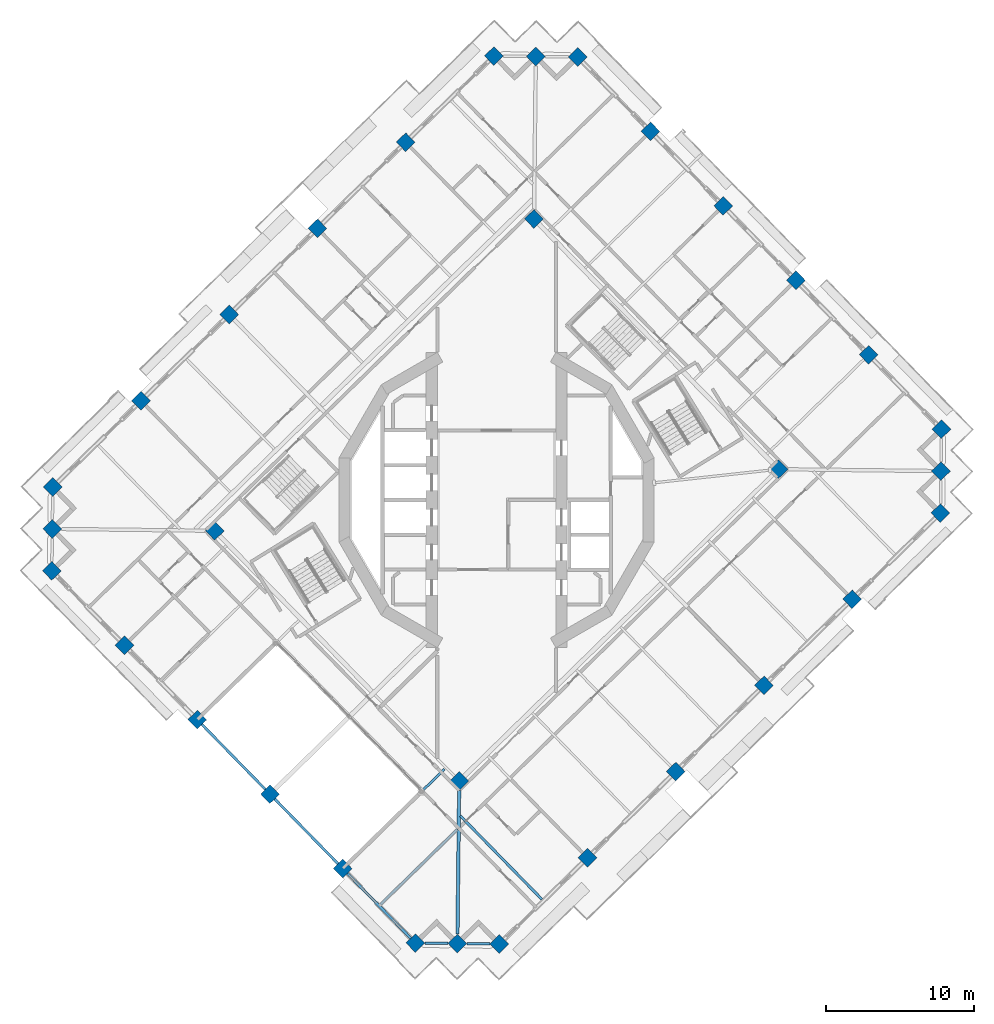
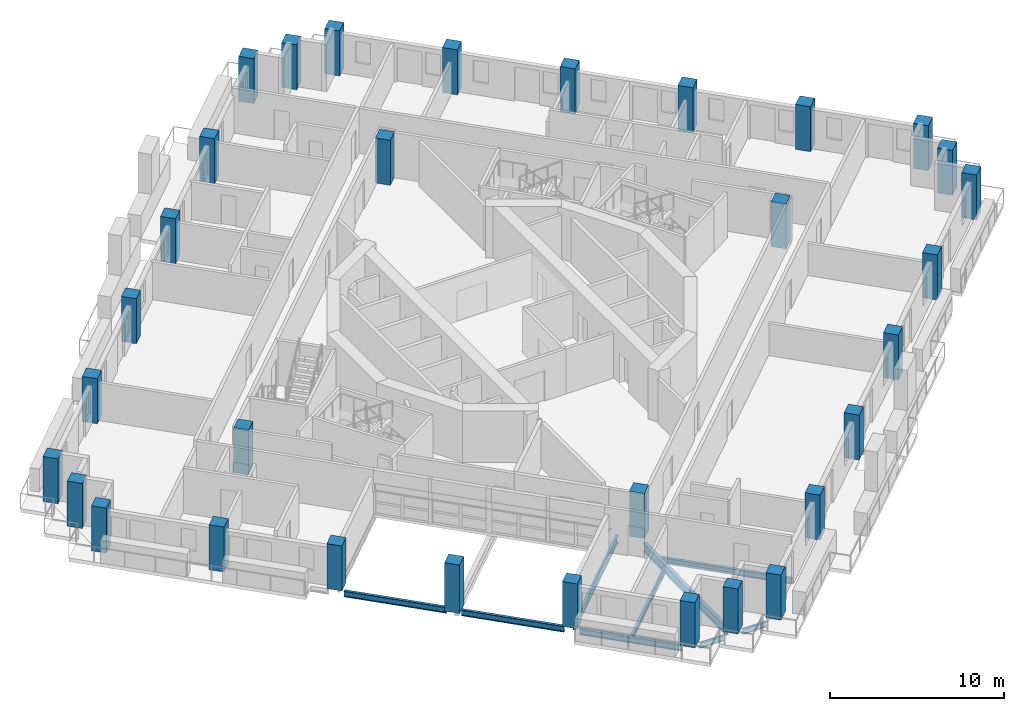
# One storey, part 1 of 19: 32 columns, 9 beams.
"""IFC4 building model written with IfcOpenShell, lengths in metres."""

import ifcopenshell
import ifcopenshell.guid

model = None  # the IFC model being written
_history = None  # IfcOwnerHistory: only IFC2X3 demands one
_inside = {}  # id of a spatial element -> (the spatial element, [elements in it])
_under = {}  # id of a project, library or spatial element -> (it, [spatial elements below it])
_declared = {}  # id of a project -> (the project, [libraries it declares])
_typed = {}  # id of a type object -> (the type object, [elements of that type])
_made_of = {}  # id of a material, layer set ... -> (it, [elements and type objects made of it])


def new_model(schema):
    """Start an empty IFC model of exactly this schema.

    Asked for "IFC4X3", IfcOpenShell would pick the latest addendum, in which some entities
    have other attributes; the version numbers below select the first issue.
    IFC2X3 requires an IfcOwnerHistory on every rooted entity: one is made here for all.
    """
    global model, _history
    if schema == "IFC4X3":
        model = ifcopenshell.file(schema_version=(4, 3, 0, 0))
    else:
        model = ifcopenshell.file(schema=schema)
    _inside.clear()
    _under.clear()
    _declared.clear()
    _typed.clear()
    _made_of.clear()
    _history = None
    if model.schema == "IFC2X3":
        org = make("IfcOrganization", Name="unknown")
        user = make(
            "IfcPersonAndOrganization",
            ThePerson=make("IfcPerson", FamilyName="unknown"),
            TheOrganization=org,
        )
        app = make(
            "IfcApplication",
            ApplicationDeveloper=org,
            Version="unknown",
            ApplicationFullName="unknown",
            ApplicationIdentifier="unknown",
        )
        _history = make(
            "IfcOwnerHistory",
            OwningUser=user,
            OwningApplication=app,
            ChangeAction="ADDED",
            CreationDate=0,
        )
    return model


def make(cls, **values):
    """One entity of the class cls with the attributes given. An attribute that is None is left unset."""
    return model.create_entity(
        cls, **{name: value for name, value in values.items() if value is not None}
    )


def rooted(cls, **values):
    """An entity with a GlobalId (a new one), such as an element, a storey or a relation."""
    return make(cls, GlobalId=ifcopenshell.guid.new(), OwnerHistory=_history, **values)


def si_unit(unit_type, name, prefix=None):
    """IfcSIUnit, for example si_unit("LENGTHUNIT", "METRE", prefix="MILLI")."""
    return make("IfcSIUnit", UnitType=unit_type, Prefix=prefix, Name=name)


def assignment(units):
    """IfcUnitAssignment: the units of a project."""
    return None if units is None else make("IfcUnitAssignment", Units=units)


def point(xyz):
    """IfcCartesianPoint."""
    return None if xyz is None else make("IfcCartesianPoint", Coordinates=xyz)


def direction(xyz):
    """IfcDirection."""
    return None if xyz is None else make("IfcDirection", DirectionRatios=xyz)


def frame(location, z_axis=None, x_axis=None):
    """IfcAxis2Placement3D, a coordinate frame: its origin and axes. An axis left out is left unset."""
    return make(
        "IfcAxis2Placement3D",
        Location=point(location),
        Axis=direction(z_axis),
        RefDirection=direction(x_axis),
    )


def frame_2d(location, x_axis=None):
    """IfcAxis2Placement2D, a coordinate frame in the plane: its origin and x axis."""
    return make(
        "IfcAxis2Placement2D", Location=point(location), RefDirection=direction(x_axis)
    )


def origin():
    """The frame at (0, 0, 0) with its axes left unset."""
    return frame((0.0, 0.0, 0.0))


def origin_2d():
    """The frame at (0, 0) in the plane with its x axis left unset."""
    return frame_2d((0.0, 0.0))


def place(relative_to, where):
    """IfcLocalPlacement: puts the frame where relative to a parent placement (None: the world)."""
    return make(
        "IfcLocalPlacement", PlacementRelTo=relative_to, RelativePlacement=where
    )


def context(
    kind, dimensions, precision=None, world=None, true_north=None, identifier=None
):
    """IfcGeometricRepresentationContext, for example the 3D "Model" context."""
    return make(
        "IfcGeometricRepresentationContext",
        ContextIdentifier=identifier,
        ContextType=kind,
        CoordinateSpaceDimension=dimensions,
        Precision=precision,
        WorldCoordinateSystem=world,
        TrueNorth=true_north,
    )


def subcontext(parent, identifier, kind, view, scale=None):
    """IfcGeometricRepresentationSubContext, for example "Body" below "Model"."""
    return make(
        "IfcGeometricRepresentationSubContext",
        ContextIdentifier=identifier,
        ContextType=kind,
        ParentContext=parent,
        TargetScale=scale,
        TargetView=view,
    )


def project(units=None, contexts=None):
    """IfcProject with its units and contexts."""
    return rooted(
        "IfcProject",
        Name="project",
        RepresentationContexts=contexts,
        UnitsInContext=assignment(units),
    )


def spatial(cls, under=None, at=None, **own):
    """A site, building, storey or space (cls), placed at a placement, below another one or the project."""
    s = rooted(cls, ObjectPlacement=at, **own)
    if under is not None:
        _under.setdefault(under.id(), (under, []))[1].append(s)
    return s


def profile(cls, at=None, kind="AREA", **sizes):
    """A parametric profile (cls). Its sizes go by their IFC names, for example OverallWidth=200.0."""
    return make(cls, ProfileType=kind, Position=at, **sizes)


def rectangle(**sizes):
    """IfcRectangleProfileDef."""
    return profile("IfcRectangleProfileDef", **sizes)


def i_section(**sizes):
    """IfcIShapeProfileDef."""
    return profile("IfcIShapeProfileDef", **sizes)


def extrude(swept, where, along, depth):
    """IfcExtrudedAreaSolid: the profile swept, set in the frame where, extruded along a direction by depth."""
    return make(
        "IfcExtrudedAreaSolid",
        SweptArea=swept,
        Position=where,
        ExtrudedDirection=direction(along),
        Depth=depth,
    )


def shape(context_of_items, identifier, shape_type, items):
    """IfcShapeRepresentation: the items that make up one representation, for example the "Body"."""
    return make(
        "IfcShapeRepresentation",
        ContextOfItems=context_of_items,
        RepresentationIdentifier=identifier,
        RepresentationType=shape_type,
        Items=items,
    )


def material(Name=None, Category=None):
    """IfcMaterial."""
    return make("IfcMaterial", Name=Name, Category=Category)


def material_profile(
    of_material, cross_section, Name=None, Category=None, Priority=None
):
    """IfcMaterialProfile: a cross section and its material."""
    return make(
        "IfcMaterialProfile",
        Name=Name,
        Material=of_material,
        Profile=cross_section,
        Priority=Priority,
        Category=Category,
    )


def profile_set(profiles, Name=None, composite=None):
    """IfcMaterialProfileSet."""
    return make(
        "IfcMaterialProfileSet",
        Name=Name,
        MaterialProfiles=profiles,
        CompositeProfile=composite,
    )


def made_of(thing, what):
    """Note that an element or type object is made of a material, layer set ...; save() writes the relation."""
    if what is not None:
        _made_of.setdefault(what.id(), (what, []))[1].append(thing)
    return thing


def type_object(cls, material=None, **own):
    """A type object (cls), such as IfcWallType, which elements share."""
    return made_of(rooted(cls, **own), material)


def element(
    cls,
    number,
    at=None,
    inside=None,
    cuts=None,
    type_object=None,
    material=None,
    context=None,
    identifier="Body",
    shape_type=None,
    held_by="IfcProductDefinitionShape",
    body=None,
    shapes=None,
    **own,
):
    """One element of the class cls, such as IfcWall. Its Tag is "e" and its number.

    at: its placement. inside: the storey or other place that contains it. cuts: it is an
    opening in that element (IfcRelVoidsElement). A single representation is given by context,
    identifier, shape_type and body (its items); several are given by shapes. held_by: the class
    of the entity that holds the representations. save() writes the other relations.
    """
    e = rooted(cls, Tag="e%d" % number, ObjectPlacement=at, **own)
    if body is not None:
        shapes = [shape(context, identifier, shape_type, body)]
    if shapes is not None:
        e.Representation = make(held_by, Representations=shapes)
    if inside is not None:
        _inside.setdefault(inside.id(), (inside, []))[1].append(e)
    if cuts is not None:
        rooted(
            "IfcRelVoidsElement", RelatingBuildingElement=cuts, RelatedOpeningElement=e
        )
    if type_object is not None:
        _typed.setdefault(type_object.id(), (type_object, []))[1].append(e)
    return made_of(e, material)


def aggregate(whole, parts):
    """IfcRelAggregates: a whole, such as a stair, and the parts it consists of."""
    return rooted("IfcRelAggregates", RelatingObject=whole, RelatedObjects=parts)


def save(model, path):
    """Write the relations noted so far, then the file.

    IfcRelAggregates (storeys below a building ...), IfcRelContainedInSpatialStructure (elements
    in a storey), IfcRelDefinesByType, IfcRelAssociatesMaterial and IfcRelDeclares: one each for
    every whole, place, type object, material and project.
    """
    for whole, parts in _under.values():
        aggregate(whole, parts)
    for where, things in _inside.values():
        rooted(
            "IfcRelContainedInSpatialStructure",
            RelatedElements=things,
            RelatingStructure=where,
        )
    for kind, things in _typed.values():
        rooted("IfcRelDefinesByType", RelatedObjects=things, RelatingType=kind)
    for what, things in _made_of.values():
        rooted("IfcRelAssociatesMaterial", RelatedObjects=things, RelatingMaterial=what)
    for by, libraries in _declared.values():
        rooted("IfcRelDeclares", RelatingContext=by, RelatedDefinitions=libraries)
    model.write(path)


model = new_model("IFC4")

# Units and contexts
model_context = context("Model", 3, precision=1e-05, world=origin(), true_north=direction((0.0, 1.0)))
body_context = subcontext(model_context, "Body", "Model", "MODEL_VIEW")
ifc_project = project(units=[si_unit("LENGTHUNIT", "METRE"), si_unit("AREAUNIT", "SQUARE_METRE"), si_unit("VOLUMEUNIT", "CUBIC_METRE"), si_unit("PLANEANGLEUNIT", "RADIAN"), si_unit("MASSUNIT", "GRAM", prefix="KILO")], contexts=[model_context])

# Site, building, storey
site_placement = place(None, origin())
site = spatial("IfcSite", under=ifc_project, at=site_placement, CompositionType="ELEMENT")
building_placement = place(site_placement, origin())
building = spatial("IfcBuilding", under=site, at=building_placement, Name="Cantera Rosa Tower", CompositionType="ELEMENT")
storey_placement = place(building_placement, frame((0.0, 0.0, 241.39990234375)))
storey = spatial("IfcBuildingStorey", under=building, at=storey_placement, Name="L53", CompositionType="ELEMENT", Elevation=241.39990234375)

# Columns
ifc_material_1 = material(Name="Concrete C60/75", Category="concrete")
ifc_material_profile_1 = material_profile(ifc_material_1, rectangle(XDim=0.89990234375, YDim=0.89990234375, at=origin_2d()), Name="RC COLUMN RC900X900 C60/75")
ifc_profile_set_1 = profile_set([ifc_material_profile_1], Name="Concrete C60/75")
column_type_1 = type_object("IfcColumnType", Name="RC COLUMN RC900X900 C60/75", PredefinedType="COLUMN", material=ifc_profile_set_1)
for number, where, z_axis, x_axis, name in (
    (1, (30.003662109375, 4.77783203125, 0.0), (0.0, 0.0, 1.0), (0.71528629107, 0.698831540364, 0.0), "C-Z4-01 L53"),
    (2, (25.097900390625, 9.799072265625, 0.0), (0.0, 0.0, 1.0), (0.71528629107, 0.698831540364, 0.0), "C-Z4-02 L53"),
    (3, (20.19189453125, 14.8203125, 0.0), (0.0, 0.0, 1.0), (0.71528629107, 0.698831540364, 0.0), "C-Z4-03 L53"),
    (4, (15.2861328125, 19.841796875, 0.0), (0.0, 0.0, 1.0), (0.71528629107, 0.698831540364, 0.0), "C-Z4-04 L53"),
    (5, (10.38037109375, 24.863037109375, 0.0), (0.0, 0.0, 1.0), (0.71528629107, 0.698831540364, 0.0), "C-Z4-05 L53"),
    (6, (5.474609375, 29.88427734375, 0.0), (0.0, 0.0, 1.0), (0.71528629107, 0.698831540364, 0.0), "C-Z4-06 L53"),
    (7, (2.646484375, 29.917236328125, 0.0), (0.0, 0.0, 1.0), (0.71528629107, 0.698831540364, 0.0), "C-Z4-07 L53"),
    (8, (-0.181884765625, 29.9501953125, 0.0), (0.0, 0.0, 1.0), (0.71528629107, 0.698831540364, 0.0), "C-Z4-08 L53"),
    (9, (-6.133056640625, 24.1357421875, 0.0), (0.0, 0.0, 1.0), (0.71528629107, 0.698831540364, 0.0), "C-Z4-09 L53"),
    (10, (-12.084228515625, 18.321533203125, 0.0), (0.0, 0.0, 1.0), (0.71528629107, 0.698831540364, 0.0), "C-Z4-10 L53"),
    (11, (-18.035400390625, 12.50732421875, 0.0), (0.0, 0.0, 1.0), (0.71528629107, 0.698831540364, 0.0), "C-Z4-11 L53"),
    (12, (-23.986572265625, 6.693115234375, 0.0), (0.0, 0.0, 1.0), (0.71528629107, 0.698831540364, 0.0), "C-Z4-12 L53"),
    (13, (-29.937744140625, 0.878662109375, 0.0), (0.0, 0.0, 1.0), (0.71528629107, 0.698831540364, 0.0), "C-Z4-13 L53"),
    (14, (-29.970703125, -1.949462890625, 0.0), (0.0, 0.0, 1.0), (0.71528629107, 0.698831540364, 0.0), "C-Z4-14 L53"),
    (15, (-30.003662109375, -4.77783203125, 0.0), (0.0, 0.0, 1.0), (0.71528629107, 0.698831540364, 0.0), "C-Z4-15 L53"),
    (16, (-25.097900390625, -9.799072265625, 0.0), (0.0, 0.0, 1.0), (0.71528629107, 0.698831540364, 0.0), "C-Z4-16 L53"),
    (17, (-20.19189453125, -14.8203125, 0.0), (0.0, 0.0, 1.0), (0.71528629107, 0.698831540364, 0.0), "C-Z4-17 L53"),
):
    element("IfcColumn", number, at=place(storey_placement, frame(where, z_axis=z_axis, x_axis=x_axis)), inside=storey, type_object=column_type_1, Name=name, PredefinedType="COLUMN", context=body_context, shape_type="SweptSolid", body=[
        extrude(rectangle(XDim=0.89990234375, YDim=0.89990234375, at=origin_2d()), origin(), (0.0, 0.0, 1.0), 3.150146484375),
    ])
column_placement = place(storey_placement, frame((-15.2861328125, -19.841796875, -0.25), z_axis=(0.0, 0.0, 1.0), x_axis=(0.71528629107, 0.698831540364, 0.0)))
element("IfcColumn", 18, at=column_placement, inside=storey, type_object=column_type_1, Name="C-Z4-18 L53", PredefinedType="COLUMN", context=body_context, shape_type="SweptSolid", body=[
    extrude(rectangle(XDim=0.89990234375, YDim=0.89990234375, at=origin_2d()), origin(), (0.0, 0.0, 1.0), 3.400146484375),
])
for number, where, z_axis, x_axis, name in (
    (19, (-10.38037109375, -24.863037109375, 0.0), (0.0, 0.0, 1.0), (0.71528629107, 0.698831540364, 0.0), "C-Z4-19 L53"),
    (20, (-5.474609375, -29.88427734375, 0.0), (0.0, 0.0, 1.0), (0.71528629107, 0.698831540364, 0.0), "C-Z4-20 L53"),
    (21, (-2.646484375, -29.917236328125, 0.0), (0.0, 0.0, 1.0), (0.71528629107, 0.698831540364, 0.0), "C-Z4-21 L53"),
    (22, (0.181884765625, -29.9501953125, 0.0), (0.0, 0.0, 1.0), (0.71528629107, 0.698831540364, 0.0), "C-Z4-22 L53"),
    (23, (6.133056640625, -24.1357421875, 0.0), (0.0, 0.0, 1.0), (0.71528629107, 0.698831540364, 0.0), "C-Z4-23 L53"),
    (24, (12.084228515625, -18.321533203125, 0.0), (0.0, 0.0, 1.0), (0.71528629107, 0.698831540364, 0.0), "C-Z4-24 L53"),
    (25, (18.035400390625, -12.50732421875, 0.0), (0.0, 0.0, 1.0), (0.71528629107, 0.698831540364, 0.0), "C-Z4-25 L53"),
    (26, (23.986572265625, -6.693115234375, 0.0), (0.0, 0.0, 1.0), (0.71528629107, 0.698831540364, 0.0), "C-Z4-26 L53"),
    (27, (29.937744140625, -0.878662109375, 0.0), (0.0, 0.0, 1.0), (0.71528629107, 0.698831540364, 0.0), "C-Z4-27 L53"),
    (28, (29.970703125, 1.949462890625, 0.0), (0.0, 0.0, 1.0), (0.71528629107, 0.698831540364, 0.0), "C-Z4-28 L53"),
):
    element("IfcColumn", number, at=place(storey_placement, frame(where, z_axis=z_axis, x_axis=x_axis)), inside=storey, type_object=column_type_1, Name=name, PredefinedType="COLUMN", context=body_context, shape_type="SweptSolid", body=[
        extrude(rectangle(XDim=0.89990234375, YDim=0.89990234375, at=origin_2d()), origin(), (0.0, 0.0, 1.0), 3.150146484375),
    ])
ifc_material_2 = material(Name="Concrete C60/75", Category="concrete")
ifc_material_profile_2 = material_profile(ifc_material_2, rectangle(XDim=0.89990234375, YDim=0.89990234375, at=origin_2d()), Name="RC RING COLUMN RC900X900 C60/75")
ifc_profile_set_2 = profile_set([ifc_material_profile_2], Name="Concrete C60/75")
column_type_2 = type_object("IfcColumnType", Name="RC RING COLUMN RC900X900 C60/75", PredefinedType="COLUMN", material=ifc_profile_set_2)
for number, where, z_axis, x_axis, name in (
    (29, (2.518798828125, 18.957763671875, 0.0), (0.0, 0.0, 1.0), (0.71528629107, 0.698831540364, 0.0), "CI-Z4-1 L53"),
    (30, (-19.01123046875, -2.0771484375, 0.0), (0.0, 0.0, 1.0), (0.71528629107, 0.698831540364, 0.0), "CI-Z4-2 L53"),
    (31, (-2.518798828125, -18.957763671875, 0.0), (0.0, 0.0, 1.0), (0.71528629107, 0.698831540364, 0.0), "CI-Z4-3 L53"),
    (32, (19.01123046875, 2.0771484375, 0.0), (0.0, 0.0, 1.0), (0.71528629107, 0.698831540364, 0.0), "CI-Z4-4 L53"),
):
    element("IfcColumn", number, at=place(storey_placement, frame(where, z_axis=z_axis, x_axis=x_axis)), inside=storey, type_object=column_type_2, Name=name, PredefinedType="COLUMN", context=body_context, shape_type="SweptSolid", body=[
        extrude(rectangle(XDim=0.89990234375, YDim=0.89990234375, at=origin_2d()), origin(), (0.0, 0.0, 1.0), 3.150146484375),
    ])

# Beams
ifc_material_3 = material(Name="Steel ASTM A992 (Fy 345 MPa)", Category="steel")
ifc_material_profile_3 = material_profile(ifc_material_3, i_section(OverallWidth=0.166015625, OverallDepth=0.528076171875, WebThickness=0.009765625, FlangeThickness=0.013671875, FilletRadius=0.0126953125, at=origin_2d()), Name="W530X74")
ifc_profile_set_3 = profile_set([ifc_material_profile_3], Name="Steel ASTM A992 (Fy 345 MPa)")
beam_type_1 = type_object("IfcBeamType", Name="STEEL BEAM W530X74", PredefinedType="BEAM", material=ifc_profile_set_3)
beam_1_placement = place(storey_placement, frame((-10.05859375, -24.548583984375, -0.513916015625), z_axis=(0.71529025682, 0.698827481213, 0.0), x_axis=(-0.698827481213, 0.71529025682, 0.0)))
element("IfcBeam", 33, at=beam_1_placement, inside=storey, type_object=beam_type_1, Name="G-Z4-16 L53", PredefinedType="BEAM", context=body_context, shape_type="SweptSolid", body=[
    extrude(i_section(OverallWidth=0.166015625, OverallDepth=0.528076171875, WebThickness=0.009765625, FlangeThickness=0.013671875, FilletRadius=0.0126953125, at=origin_2d()), origin(), (0.0, 0.0, 1.0), 9.14990234375),
])
ifc_material_4 = material(Name="Steel ASTM A992 (Fy 345 MPa)", Category="steel")
ifc_material_profile_4 = material_profile(ifc_material_4, i_section(OverallWidth=0.22802734375, OverallDepth=0.60205078125, WebThickness=0.010498046875, FlangeThickness=0.014892578125, FilletRadius=0.0126953125, at=origin_2d()), Name="W610X101")
ifc_profile_set_4 = profile_set([ifc_material_profile_4], Name="Steel ASTM A992 (Fy 345 MPa)")
beam_type_2 = type_object("IfcBeamType", Name="STEEL BEAM W610X101", PredefinedType="BEAM", material=ifc_profile_set_4)
beam_2_placement = place(storey_placement, frame((-2.638916015625, -29.28076171875, -0.55078125), z_axis=(0.011618330597, 0.999932504919, 0.0), x_axis=(-0.999932504919, 0.011618330597, 0.0)))
element("IfcBeam", 34, at=beam_2_placement, inside=storey, type_object=beam_type_2, Name="CB-Z4-03 L53", PredefinedType="BEAM", context=body_context, shape_type="SweptSolid", body=[
    extrude(i_section(OverallWidth=0.22802734375, OverallDepth=0.60205078125, WebThickness=0.010498046875, FlangeThickness=0.014892578125, FilletRadius=0.0126953125, at=origin_2d()), origin(), (0.0, 0.0, 1.0), 9.687255859375),
])
ifc_material_5 = material(Name="Steel ASTM A992 (Fy 345 MPa)", Category="steel")
ifc_material_profile_5 = material_profile(ifc_material_5, i_section(OverallWidth=0.1708984375, OverallDepth=0.35595703125, WebThickness=0.00732421875, FlangeThickness=0.01171875, FilletRadius=0.010009765625, at=origin_2d()), Name="W360X51")
ifc_profile_set_5 = profile_set([ifc_material_profile_5], Name="Steel ASTM A992 (Fy 345 MPa)")
beam_type_3 = type_object("IfcBeamType", Name="STEEL JOIST W360X51", PredefinedType="JOIST", material=ifc_profile_set_5)
beam_3_placement = place(storey_placement, frame((-7.8203125, -27.268798828125, -0.427978515625), z_axis=(0.715287213552, 0.69883059616, 0.0), x_axis=(-0.69883059616, 0.715287213552, 0.0)))
element("IfcBeam", 35, at=beam_3_placement, inside=storey, type_object=beam_type_3, Name="B-Z4-20 L53", PredefinedType="JOIST", context=body_context, shape_type="SweptSolid", body=[
    extrude(i_section(OverallWidth=0.1708984375, OverallDepth=0.35595703125, WebThickness=0.00732421875, FlangeThickness=0.01171875, FilletRadius=0.010009765625, at=origin_2d()), origin(), (0.0, 0.0, 1.0), 7.2099609375),
])
ifc_material_6 = material(Name="Steel ASTM A992 (Fy 345 MPa)", Category="steel")
ifc_material_profile_6 = material_profile(ifc_material_6, i_section(OverallWidth=0.177978515625, OverallDepth=0.406005859375, WebThickness=0.0078125, FlangeThickness=0.0126953125, FilletRadius=0.01025390625, at=origin_2d()), Name="W410X60")
ifc_profile_set_6 = profile_set([ifc_material_profile_6], Name="Steel ASTM A992 (Fy 345 MPa)")
beam_type_4 = type_object("IfcBeamType", Name="STEEL JOIST W410X60", PredefinedType="JOIST", material=ifc_profile_set_6)
beam_4_placement = place(storey_placement, frame((3.052734375, -26.935791015625, -0.452880859375), z_axis=(-0.698827868311, 0.715289878631, 0.0), x_axis=(-0.715289878631, -0.698827868311, 0.0)))
element("IfcBeam", 36, at=beam_4_placement, inside=storey, type_object=beam_type_4, Name="B-Z4-11 L53", PredefinedType="JOIST", context=body_context, shape_type="SweptSolid", body=[
    extrude(i_section(OverallWidth=0.177978515625, OverallDepth=0.406005859375, WebThickness=0.0078125, FlangeThickness=0.0126953125, FilletRadius=0.01025390625, at=origin_2d()), origin(), (0.0, 0.0, 1.0), 7.860107421875),
])
ifc_material_7 = material(Name="Steel ASTM A992 (Fy 345 MPa)", Category="steel")
ifc_material_profile_7 = material_profile(ifc_material_7, i_section(OverallWidth=0.1708984375, OverallDepth=0.35595703125, WebThickness=0.00732421875, FlangeThickness=0.01171875, FilletRadius=0.010009765625, at=origin_2d()), Name="W360X51")
ifc_profile_set_7 = profile_set([ifc_material_profile_7], Name="Steel ASTM A992 (Fy 345 MPa)")
beam_type_5 = type_object("IfcBeamType", Name="STEEL SPANDREL BEAM W360X51", PredefinedType="SPANDREL", material=ifc_profile_set_7)
for number, where, z_axis, x_axis, name in (
    (37, (-4.838134765625, -29.8916015625, -0.427978515625), (0.999930716123, -0.011771276677, 0.0), (0.011771276677, 0.999930716123, 0.0), "EB-Z4-20 L53"),
    (38, (-2.010009765625, -29.924560546875, -0.427978515625), (0.99993255119, -0.011614347636, 0.0), (0.011614347636, 0.99993255119, 0.0), "EB-Z4-21 L53"),
):
    element("IfcBeam", number, at=place(storey_placement, frame(where, z_axis=z_axis, x_axis=x_axis)), inside=storey, type_object=beam_type_5, Name=name, PredefinedType="SPANDREL", context=body_context, shape_type="SweptSolid", body=[
        extrude(i_section(OverallWidth=0.1708984375, OverallDepth=0.35595703125, WebThickness=0.00732421875, FlangeThickness=0.01171875, FilletRadius=0.010009765625, at=origin_2d()), origin(), (0.0, 0.0, 1.0), 1.555419921875),
    ])
ifc_material_8 = material(Name="Steel ASTM A992 (Fy 345 MPa)", Category="steel")
ifc_material_profile_8 = material_profile(ifc_material_8, i_section(OverallWidth=0.177978515625, OverallDepth=0.406005859375, WebThickness=0.0078125, FlangeThickness=0.0126953125, FilletRadius=0.01025390625, at=origin_2d()), Name="W410X60")
ifc_profile_set_8 = profile_set([ifc_material_profile_8], Name="Steel ASTM A992 (Fy 345 MPa)")
beam_type_6 = type_object("IfcBeamType", Name="STEEL SPANDREL BEAM W410X60", PredefinedType="SPANDREL", material=ifc_profile_set_8)
for number, where, z_axis, x_axis, name in (
    (39, (-19.87744140625, -15.142333984375, -0.452880859375), (0.698841120217, -0.71527693147, 0.0), (0.71527693147, 0.698841120217, 0.0), "EB-Z4-17 L53"),
    (40, (-14.9716796875, -20.16357421875, -0.452880859375), (0.698841120217, -0.71527693147, 0.0), (0.71527693147, 0.698841120217, 0.0), "EB-Z4-18 L53"),
):
    element("IfcBeam", number, at=place(storey_placement, frame(where, z_axis=z_axis, x_axis=x_axis)), inside=storey, type_object=beam_type_6, Name=name, PredefinedType="SPANDREL", context=body_context, shape_type="SweptSolid", body=[
        extrude(i_section(OverallWidth=0.177978515625, OverallDepth=0.406005859375, WebThickness=0.0078125, FlangeThickness=0.0126953125, FilletRadius=0.01025390625, at=origin_2d()), origin(), (0.0, 0.0, 1.0), 6.119873046875),
    ])
beam_5_placement = place(storey_placement, frame((-10.06591796875, -25.184814453125, -0.452880859375), z_axis=(0.69882117953, -0.715296413412, 0.0), x_axis=(0.715296413412, 0.69882117953, 0.0)))
element("IfcBeam", 41, at=beam_5_placement, inside=storey, type_object=beam_type_6, Name="EB-Z4-19 L53", PredefinedType="SPANDREL", context=body_context, shape_type="SweptSolid", body=[
    extrude(i_section(OverallWidth=0.177978515625, OverallDepth=0.406005859375, WebThickness=0.0078125, FlangeThickness=0.0126953125, FilletRadius=0.01025390625, at=origin_2d()), origin(), (0.0, 0.0, 1.0), 6.1201171875),
])

save(model, "model.ifc")
